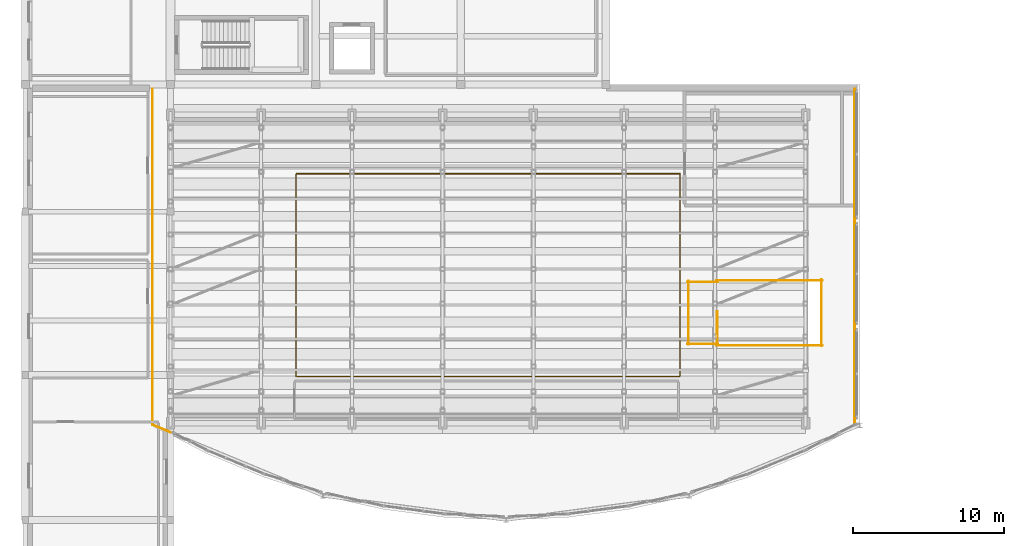
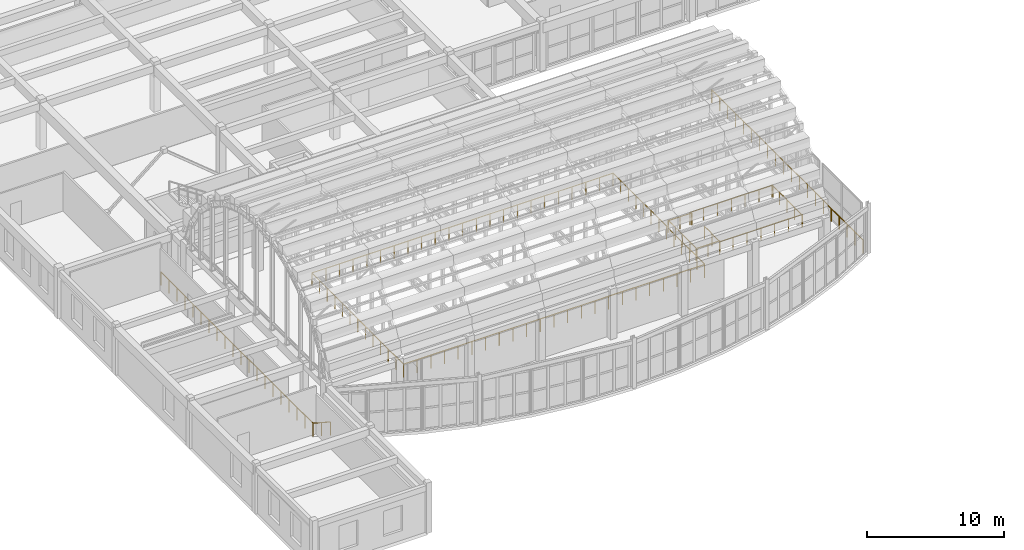
# One storey, part 80 of 91: 11 railings.
"""IFC4 building model written with IfcOpenShell, lengths in metres."""

import ifcopenshell
import ifcopenshell.guid

model = None  # the IFC model being written
_history = None  # IfcOwnerHistory: only IFC2X3 demands one
_inside = {}  # id of a spatial element -> (the spatial element, [elements in it])
_under = {}  # id of a project, library or spatial element -> (it, [spatial elements below it])
_declared = {}  # id of a project -> (the project, [libraries it declares])
_typed = {}  # id of a type object -> (the type object, [elements of that type])
_made_of = {}  # id of a material, layer set ... -> (it, [elements and type objects made of it])


def new_model(schema):
    """Start an empty IFC model of exactly this schema.

    Asked for "IFC4X3", IfcOpenShell would pick the latest addendum, in which some entities
    have other attributes; the version numbers below select the first issue.
    IFC2X3 requires an IfcOwnerHistory on every rooted entity: one is made here for all.
    """
    global model, _history
    if schema == "IFC4X3":
        model = ifcopenshell.file(schema_version=(4, 3, 0, 0))
    else:
        model = ifcopenshell.file(schema=schema)
    _inside.clear()
    _under.clear()
    _declared.clear()
    _typed.clear()
    _made_of.clear()
    _history = None
    if model.schema == "IFC2X3":
        org = make("IfcOrganization", Name="unknown")
        user = make(
            "IfcPersonAndOrganization",
            ThePerson=make("IfcPerson", FamilyName="unknown"),
            TheOrganization=org,
        )
        app = make(
            "IfcApplication",
            ApplicationDeveloper=org,
            Version="unknown",
            ApplicationFullName="unknown",
            ApplicationIdentifier="unknown",
        )
        _history = make(
            "IfcOwnerHistory",
            OwningUser=user,
            OwningApplication=app,
            ChangeAction="ADDED",
            CreationDate=0,
        )
    return model


def make(cls, **values):
    """One entity of the class cls with the attributes given. An attribute that is None is left unset."""
    return model.create_entity(
        cls, **{name: value for name, value in values.items() if value is not None}
    )


def rooted(cls, **values):
    """An entity with a GlobalId (a new one), such as an element, a storey or a relation."""
    return make(cls, GlobalId=ifcopenshell.guid.new(), OwnerHistory=_history, **values)


def si_unit(unit_type, name, prefix=None):
    """IfcSIUnit, for example si_unit("LENGTHUNIT", "METRE", prefix="MILLI")."""
    return make("IfcSIUnit", UnitType=unit_type, Prefix=prefix, Name=name)


def assignment(units):
    """IfcUnitAssignment: the units of a project."""
    return None if units is None else make("IfcUnitAssignment", Units=units)


def point(xyz):
    """IfcCartesianPoint."""
    return None if xyz is None else make("IfcCartesianPoint", Coordinates=xyz)


def direction(xyz):
    """IfcDirection."""
    return None if xyz is None else make("IfcDirection", DirectionRatios=xyz)


def frame(location, z_axis=None, x_axis=None):
    """IfcAxis2Placement3D, a coordinate frame: its origin and axes. An axis left out is left unset."""
    return make(
        "IfcAxis2Placement3D",
        Location=point(location),
        Axis=direction(z_axis),
        RefDirection=direction(x_axis),
    )


def frame_2d(location, x_axis=None):
    """IfcAxis2Placement2D, a coordinate frame in the plane: its origin and x axis."""
    return make(
        "IfcAxis2Placement2D", Location=point(location), RefDirection=direction(x_axis)
    )


def origin():
    """The frame at (0, 0, 0) with its axes left unset."""
    return frame((0.0, 0.0, 0.0))


def origin_2d():
    """The frame at (0, 0) in the plane with its x axis left unset."""
    return frame_2d((0.0, 0.0))


def place(relative_to, where):
    """IfcLocalPlacement: puts the frame where relative to a parent placement (None: the world)."""
    return make(
        "IfcLocalPlacement", PlacementRelTo=relative_to, RelativePlacement=where
    )


def context(
    kind, dimensions, precision=None, world=None, true_north=None, identifier=None
):
    """IfcGeometricRepresentationContext, for example the 3D "Model" context."""
    return make(
        "IfcGeometricRepresentationContext",
        ContextIdentifier=identifier,
        ContextType=kind,
        CoordinateSpaceDimension=dimensions,
        Precision=precision,
        WorldCoordinateSystem=world,
        TrueNorth=true_north,
    )


def subcontext(parent, identifier, kind, view, scale=None):
    """IfcGeometricRepresentationSubContext, for example "Body" below "Model"."""
    return make(
        "IfcGeometricRepresentationSubContext",
        ContextIdentifier=identifier,
        ContextType=kind,
        ParentContext=parent,
        TargetScale=scale,
        TargetView=view,
    )


def project(units=None, contexts=None):
    """IfcProject with its units and contexts."""
    return rooted(
        "IfcProject",
        Name="project",
        RepresentationContexts=contexts,
        UnitsInContext=assignment(units),
    )


def spatial(cls, under=None, at=None, **own):
    """A site, building, storey or space (cls), placed at a placement, below another one or the project."""
    s = rooted(cls, ObjectPlacement=at, **own)
    if under is not None:
        _under.setdefault(under.id(), (under, []))[1].append(s)
    return s


def profile(cls, at=None, kind="AREA", **sizes):
    """A parametric profile (cls). Its sizes go by their IFC names, for example OverallWidth=200.0."""
    return make(cls, ProfileType=kind, Position=at, **sizes)


def circle(**sizes):
    """IfcCircleProfileDef."""
    return profile("IfcCircleProfileDef", **sizes)


def extrude(swept, where, along, depth):
    """IfcExtrudedAreaSolid: the profile swept, set in the frame where, extruded along a direction by depth."""
    return make(
        "IfcExtrudedAreaSolid",
        SweptArea=swept,
        Position=where,
        ExtrudedDirection=direction(along),
        Depth=depth,
    )


def shape(context_of_items, identifier, shape_type, items):
    """IfcShapeRepresentation: the items that make up one representation, for example the "Body"."""
    return make(
        "IfcShapeRepresentation",
        ContextOfItems=context_of_items,
        RepresentationIdentifier=identifier,
        RepresentationType=shape_type,
        Items=items,
    )


def material(Name=None, Category=None):
    """IfcMaterial."""
    return make("IfcMaterial", Name=Name, Category=Category)


def made_of(thing, what):
    """Note that an element or type object is made of a material, layer set ...; save() writes the relation."""
    if what is not None:
        _made_of.setdefault(what.id(), (what, []))[1].append(thing)
    return thing


def type_object(cls, material=None, **own):
    """A type object (cls), such as IfcWallType, which elements share."""
    return made_of(rooted(cls, **own), material)


def element(
    cls,
    number,
    at=None,
    inside=None,
    cuts=None,
    type_object=None,
    material=None,
    context=None,
    identifier="Body",
    shape_type=None,
    held_by="IfcProductDefinitionShape",
    body=None,
    shapes=None,
    **own,
):
    """One element of the class cls, such as IfcWall. Its Tag is "e" and its number.

    at: its placement. inside: the storey or other place that contains it. cuts: it is an
    opening in that element (IfcRelVoidsElement). A single representation is given by context,
    identifier, shape_type and body (its items); several are given by shapes. held_by: the class
    of the entity that holds the representations. save() writes the other relations.
    """
    e = rooted(cls, Tag="e%d" % number, ObjectPlacement=at, **own)
    if body is not None:
        shapes = [shape(context, identifier, shape_type, body)]
    if shapes is not None:
        e.Representation = make(held_by, Representations=shapes)
    if inside is not None:
        _inside.setdefault(inside.id(), (inside, []))[1].append(e)
    if cuts is not None:
        rooted(
            "IfcRelVoidsElement", RelatingBuildingElement=cuts, RelatedOpeningElement=e
        )
    if type_object is not None:
        _typed.setdefault(type_object.id(), (type_object, []))[1].append(e)
    return made_of(e, material)


def aggregate(whole, parts):
    """IfcRelAggregates: a whole, such as a stair, and the parts it consists of."""
    return rooted("IfcRelAggregates", RelatingObject=whole, RelatedObjects=parts)


def save(model, path):
    """Write the relations noted so far, then the file.

    IfcRelAggregates (storeys below a building ...), IfcRelContainedInSpatialStructure (elements
    in a storey), IfcRelDefinesByType, IfcRelAssociatesMaterial and IfcRelDeclares: one each for
    every whole, place, type object, material and project.
    """
    for whole, parts in _under.values():
        aggregate(whole, parts)
    for where, things in _inside.values():
        rooted(
            "IfcRelContainedInSpatialStructure",
            RelatedElements=things,
            RelatingStructure=where,
        )
    for kind, things in _typed.values():
        rooted("IfcRelDefinesByType", RelatedObjects=things, RelatingType=kind)
    for what, things in _made_of.values():
        rooted("IfcRelAssociatesMaterial", RelatedObjects=things, RelatingMaterial=what)
    for by, libraries in _declared.values():
        rooted("IfcRelDeclares", RelatingContext=by, RelatedDefinitions=libraries)
    model.write(path)


model = new_model("IFC4")

# Units and contexts
model_context = context("Model", 3, precision=1e-05, world=origin(), true_north=direction((0.0, 1.0)))
body_context = subcontext(model_context, "Body", "Model", "MODEL_VIEW")
ifc_project = project(units=[si_unit("LENGTHUNIT", "METRE"), si_unit("AREAUNIT", "SQUARE_METRE"), si_unit("VOLUMEUNIT", "CUBIC_METRE"), si_unit("PLANEANGLEUNIT", "RADIAN"), si_unit("MASSUNIT", "GRAM", prefix="KILO")], contexts=[model_context])

# Site, building, storey
site_placement = place(None, origin())
site = spatial("IfcSite", under=ifc_project, at=site_placement, CompositionType="ELEMENT")
building_placement = place(site_placement, origin())
building = spatial("IfcBuilding", under=site, at=building_placement, Name="Tarnavel Promenade Courthouse", CompositionType="ELEMENT")
storey_placement = place(building_placement, frame((0.0, 0.0, 9.89990234375)))
storey = spatial("IfcBuildingStorey", under=building, at=storey_placement, Name="L03", CompositionType="ELEMENT", Elevation=9.89990234375)

# Railings
ifc_material_1 = material(Name="Laminated Glass and Bronze Concourse Gallery Balustrade", Category="glass")
railing_type_1 = type_object("IfcRailingType", Name="Laminated Glass and Bronze Concourse Gallery Balustrade (RL-BAL-1180)", PredefinedType="BALUSTRADE", material=ifc_material_1)
railing_1_placement = place(storey_placement, frame((17.89990234375, 31.260009765625, 0.0)))
element("IfcRailing", 1, at=railing_1_placement, inside=storey, type_object=railing_type_1, Name="L03 Public Hall Gallery Balustrade South-West Run", PredefinedType="BALUSTRADE", context=body_context, shape_type="SweptSolid", body=[
    extrude(circle(Radius=0.02392578125, at=origin_2d()), frame((0.0, 0.0, 1.15576171875), z_axis=(0.0, -1.0, 0.0), x_axis=(1.0, 0.0, 0.0)), (0.0, 0.0, 1.0), 13.360107421875),
    extrude(circle(Radius=0.02392578125, at=origin_2d()), frame((0.0, -13.360107421875, 1.15576171875), z_axis=(1.0, 0.0, 0.0), x_axis=(0.0, 1.0, 0.0)), (0.0, 0.0, 1.0), 25.360107421875),
    extrude(circle(Radius=0.02099609375, at=origin_2d()), origin(), (0.0, 0.0, 1.0), 1.1318359375),
    extrude(circle(Radius=0.02099609375, at=origin_2d()), frame((0.0, -1.11328125, 0.0)), (0.0, 0.0, 1.0), 1.1318359375),
    extrude(circle(Radius=0.02099609375, at=origin_2d()), frame((0.0, -2.2265625, 0.0)), (0.0, 0.0, 1.0), 1.1318359375),
    extrude(circle(Radius=0.02099609375, at=origin_2d()), frame((0.0, -3.340087890625, 0.0)), (0.0, 0.0, 1.0), 1.1318359375),
    extrude(circle(Radius=0.02099609375, at=origin_2d()), frame((0.0, -4.453369140625, 0.0)), (0.0, 0.0, 1.0), 1.1318359375),
    extrude(circle(Radius=0.02099609375, at=origin_2d()), frame((0.0, -5.566650390625, 0.0)), (0.0, 0.0, 1.0), 1.1318359375),
    extrude(circle(Radius=0.02099609375, at=origin_2d()), frame((0.0, -6.68017578125, 0.0)), (0.0, 0.0, 1.0), 1.1318359375),
    extrude(circle(Radius=0.02099609375, at=origin_2d()), frame((0.0, -7.79345703125, 0.0)), (0.0, 0.0, 1.0), 1.1318359375),
    extrude(circle(Radius=0.02099609375, at=origin_2d()), frame((0.0, -8.90673828125, 0.0)), (0.0, 0.0, 1.0), 1.1318359375),
    extrude(circle(Radius=0.02099609375, at=origin_2d()), frame((0.0, -10.02001953125, 0.0)), (0.0, 0.0, 1.0), 1.1318359375),
    extrude(circle(Radius=0.02099609375, at=origin_2d()), frame((0.0, -11.13330078125, 0.0)), (0.0, 0.0, 1.0), 1.1318359375),
    extrude(circle(Radius=0.02099609375, at=origin_2d()), frame((0.0, -12.246826171875, 0.0)), (0.0, 0.0, 1.0), 1.1318359375),
    extrude(circle(Radius=0.02099609375, at=origin_2d()), frame((0.0, -13.360107421875, 0.0)), (0.0, 0.0, 1.0), 1.1318359375),
    extrude(circle(Radius=0.02099609375, at=origin_2d()), frame((1.15283203125, -13.360107421875, 0.0)), (0.0, 0.0, 1.0), 1.1318359375),
    extrude(circle(Radius=0.02099609375, at=origin_2d()), frame((2.305419921875, -13.360107421875, 0.0)), (0.0, 0.0, 1.0), 1.1318359375),
    extrude(circle(Radius=0.02099609375, at=origin_2d()), frame((3.458251953125, -13.360107421875, 0.0)), (0.0, 0.0, 1.0), 1.1318359375),
    extrude(circle(Radius=0.02099609375, at=origin_2d()), frame((4.61083984375, -13.360107421875, 0.0)), (0.0, 0.0, 1.0), 1.1318359375),
    extrude(circle(Radius=0.02099609375, at=origin_2d()), frame((5.763671875, -13.360107421875, 0.0)), (0.0, 0.0, 1.0), 1.1318359375),
    extrude(circle(Radius=0.02099609375, at=origin_2d()), frame((6.91650390625, -13.360107421875, 0.0)), (0.0, 0.0, 1.0), 1.1318359375),
    extrude(circle(Radius=0.02099609375, at=origin_2d()), frame((8.069091796875, -13.360107421875, 0.0)), (0.0, 0.0, 1.0), 1.1318359375),
    extrude(circle(Radius=0.02099609375, at=origin_2d()), frame((9.221923828125, -13.360107421875, 0.0)), (0.0, 0.0, 1.0), 1.1318359375),
    extrude(circle(Radius=0.02099609375, at=origin_2d()), frame((10.37451171875, -13.360107421875, 0.0)), (0.0, 0.0, 1.0), 1.1318359375),
    extrude(circle(Radius=0.02099609375, at=origin_2d()), frame((11.52734375, -13.360107421875, 0.0)), (0.0, 0.0, 1.0), 1.1318359375),
    extrude(circle(Radius=0.02099609375, at=origin_2d()), frame((12.68017578125, -13.360107421875, 0.0)), (0.0, 0.0, 1.0), 1.1318359375),
    extrude(circle(Radius=0.02099609375, at=origin_2d()), frame((13.832763671875, -13.360107421875, 0.0)), (0.0, 0.0, 1.0), 1.1318359375),
    extrude(circle(Radius=0.02099609375, at=origin_2d()), frame((14.985595703125, -13.360107421875, 0.0)), (0.0, 0.0, 1.0), 1.1318359375),
    extrude(circle(Radius=0.02099609375, at=origin_2d()), frame((16.13818359375, -13.360107421875, 0.0)), (0.0, 0.0, 1.0), 1.1318359375),
    extrude(circle(Radius=0.02099609375, at=origin_2d()), frame((17.291015625, -13.360107421875, 0.0)), (0.0, 0.0, 1.0), 1.1318359375),
    extrude(circle(Radius=0.02099609375, at=origin_2d()), frame((18.443603515625, -13.360107421875, 0.0)), (0.0, 0.0, 1.0), 1.1318359375),
    extrude(circle(Radius=0.02099609375, at=origin_2d()), frame((19.596435546875, -13.360107421875, 0.0)), (0.0, 0.0, 1.0), 1.1318359375),
    extrude(circle(Radius=0.02099609375, at=origin_2d()), frame((20.749267578125, -13.360107421875, 0.0)), (0.0, 0.0, 1.0), 1.1318359375),
    extrude(circle(Radius=0.02099609375, at=origin_2d()), frame((21.90185546875, -13.360107421875, 0.0)), (0.0, 0.0, 1.0), 1.1318359375),
    extrude(circle(Radius=0.02099609375, at=origin_2d()), frame((23.0546875, -13.360107421875, 0.0)), (0.0, 0.0, 1.0), 1.1318359375),
    extrude(circle(Radius=0.02099609375, at=origin_2d()), frame((24.207275390625, -13.360107421875, 0.0)), (0.0, 0.0, 1.0), 1.1318359375),
    extrude(circle(Radius=0.02099609375, at=origin_2d()), frame((25.360107421875, -13.360107421875, 0.0)), (0.0, 0.0, 1.0), 1.1318359375),
])
railing_2_placement = place(storey_placement, frame((17.93994140625, 31.300048828125, 0.0)))
element("IfcRailing", 2, at=railing_2_placement, inside=storey, type_object=railing_type_1, Name="L03 Public Hall Gallery Balustrade North-East Run", PredefinedType="BALUSTRADE", context=body_context, shape_type="SweptSolid", body=[
    extrude(circle(Radius=0.02392578125, at=origin_2d()), frame((0.0, 0.0, 1.15576171875), z_axis=(1.0, 0.0, 0.0), x_axis=(0.0, 1.0, 0.0)), (0.0, 0.0, 1.0), 25.360107421875),
    extrude(circle(Radius=0.02392578125, at=origin_2d()), frame((25.360107421875, 0.0, 1.15576171875), z_axis=(0.0, -1.0, 0.0), x_axis=(1.0, 0.0, 0.0)), (0.0, 0.0, 1.0), 13.360107421875),
    extrude(circle(Radius=0.02099609375, at=origin_2d()), origin(), (0.0, 0.0, 1.0), 1.1318359375),
    extrude(circle(Radius=0.02099609375, at=origin_2d()), frame((1.15283203125, 0.0, 0.0)), (0.0, 0.0, 1.0), 1.1318359375),
    extrude(circle(Radius=0.02099609375, at=origin_2d()), frame((2.305419921875, 0.0, 0.0)), (0.0, 0.0, 1.0), 1.1318359375),
    extrude(circle(Radius=0.02099609375, at=origin_2d()), frame((3.458251953125, 0.0, 0.0)), (0.0, 0.0, 1.0), 1.1318359375),
    extrude(circle(Radius=0.02099609375, at=origin_2d()), frame((4.61083984375, 0.0, 0.0)), (0.0, 0.0, 1.0), 1.1318359375),
    extrude(circle(Radius=0.02099609375, at=origin_2d()), frame((5.763671875, 0.0, 0.0)), (0.0, 0.0, 1.0), 1.1318359375),
    extrude(circle(Radius=0.02099609375, at=origin_2d()), frame((6.91650390625, 0.0, 0.0)), (0.0, 0.0, 1.0), 1.1318359375),
    extrude(circle(Radius=0.02099609375, at=origin_2d()), frame((8.069091796875, 0.0, 0.0)), (0.0, 0.0, 1.0), 1.1318359375),
    extrude(circle(Radius=0.02099609375, at=origin_2d()), frame((9.221923828125, 0.0, 0.0)), (0.0, 0.0, 1.0), 1.1318359375),
    extrude(circle(Radius=0.02099609375, at=origin_2d()), frame((10.37451171875, 0.0, 0.0)), (0.0, 0.0, 1.0), 1.1318359375),
    extrude(circle(Radius=0.02099609375, at=origin_2d()), frame((11.52734375, 0.0, 0.0)), (0.0, 0.0, 1.0), 1.1318359375),
    extrude(circle(Radius=0.02099609375, at=origin_2d()), frame((12.68017578125, 0.0, 0.0)), (0.0, 0.0, 1.0), 1.1318359375),
    extrude(circle(Radius=0.02099609375, at=origin_2d()), frame((13.832763671875, 0.0, 0.0)), (0.0, 0.0, 1.0), 1.1318359375),
    extrude(circle(Radius=0.02099609375, at=origin_2d()), frame((14.985595703125, 0.0, 0.0)), (0.0, 0.0, 1.0), 1.1318359375),
    extrude(circle(Radius=0.02099609375, at=origin_2d()), frame((16.13818359375, 0.0, 0.0)), (0.0, 0.0, 1.0), 1.1318359375),
    extrude(circle(Radius=0.02099609375, at=origin_2d()), frame((17.291015625, 0.0, 0.0)), (0.0, 0.0, 1.0), 1.1318359375),
    extrude(circle(Radius=0.02099609375, at=origin_2d()), frame((18.443603515625, 0.0, 0.0)), (0.0, 0.0, 1.0), 1.1318359375),
    extrude(circle(Radius=0.02099609375, at=origin_2d()), frame((19.596435546875, 0.0, 0.0)), (0.0, 0.0, 1.0), 1.1318359375),
    extrude(circle(Radius=0.02099609375, at=origin_2d()), frame((20.749267578125, 0.0, 0.0)), (0.0, 0.0, 1.0), 1.1318359375),
    extrude(circle(Radius=0.02099609375, at=origin_2d()), frame((21.90185546875, 0.0, 0.0)), (0.0, 0.0, 1.0), 1.1318359375),
    extrude(circle(Radius=0.02099609375, at=origin_2d()), frame((23.0546875, 0.0, 0.0)), (0.0, 0.0, 1.0), 1.1318359375),
    extrude(circle(Radius=0.02099609375, at=origin_2d()), frame((24.207275390625, 0.0, 0.0)), (0.0, 0.0, 1.0), 1.1318359375),
    extrude(circle(Radius=0.02099609375, at=origin_2d()), frame((25.360107421875, 0.0, 0.0)), (0.0, 0.0, 1.0), 1.1318359375),
    extrude(circle(Radius=0.02099609375, at=origin_2d()), frame((25.360107421875, -1.11328125, 0.0)), (0.0, 0.0, 1.0), 1.1318359375),
    extrude(circle(Radius=0.02099609375, at=origin_2d()), frame((25.360107421875, -2.2265625, 0.0)), (0.0, 0.0, 1.0), 1.1318359375),
    extrude(circle(Radius=0.02099609375, at=origin_2d()), frame((25.360107421875, -3.340087890625, 0.0)), (0.0, 0.0, 1.0), 1.1318359375),
    extrude(circle(Radius=0.02099609375, at=origin_2d()), frame((25.360107421875, -4.453369140625, 0.0)), (0.0, 0.0, 1.0), 1.1318359375),
    extrude(circle(Radius=0.02099609375, at=origin_2d()), frame((25.360107421875, -5.566650390625, 0.0)), (0.0, 0.0, 1.0), 1.1318359375),
    extrude(circle(Radius=0.02099609375, at=origin_2d()), frame((25.360107421875, -6.68017578125, 0.0)), (0.0, 0.0, 1.0), 1.1318359375),
    extrude(circle(Radius=0.02099609375, at=origin_2d()), frame((25.360107421875, -7.79345703125, 0.0)), (0.0, 0.0, 1.0), 1.1318359375),
    extrude(circle(Radius=0.02099609375, at=origin_2d()), frame((25.360107421875, -8.90673828125, 0.0)), (0.0, 0.0, 1.0), 1.1318359375),
    extrude(circle(Radius=0.02099609375, at=origin_2d()), frame((25.360107421875, -10.02001953125, 0.0)), (0.0, 0.0, 1.0), 1.1318359375),
    extrude(circle(Radius=0.02099609375, at=origin_2d()), frame((25.360107421875, -11.13330078125, 0.0)), (0.0, 0.0, 1.0), 1.1318359375),
    extrude(circle(Radius=0.02099609375, at=origin_2d()), frame((25.360107421875, -12.246826171875, 0.0)), (0.0, 0.0, 1.0), 1.1318359375),
    extrude(circle(Radius=0.02099609375, at=origin_2d()), frame((25.360107421875, -13.360107421875, 0.0)), (0.0, 0.0, 1.0), 1.1318359375),
])
railing_3_placement = place(storey_placement, frame((54.85009765625, 14.800048828125, 0.0)))
element("IfcRailing", 3, at=railing_3_placement, inside=storey, type_object=railing_type_1, Name="L03 Public Drum East Curtain-Wall Guardrail", PredefinedType="BALUSTRADE", context=body_context, shape_type="SweptSolid", body=[
    extrude(circle(Radius=0.02392578125, at=origin_2d()), frame((0.0, 0.0, 1.15576171875), z_axis=(0.0, 1.0, 0.0), x_axis=(-1.0, 0.0, 0.0)), (0.0, 0.0, 1.0), 22.099853515625),
    extrude(circle(Radius=0.02099609375, at=origin_2d()), origin(), (0.0, 0.0, 1.0), 1.1318359375),
    extrude(circle(Radius=0.02099609375, at=origin_2d()), frame((0.0, 1.1630859375, 0.0)), (0.0, 0.0, 1.0), 1.1318359375),
    extrude(circle(Radius=0.02099609375, at=origin_2d()), frame((0.0, 2.326416015625, 0.0)), (0.0, 0.0, 1.0), 1.1318359375),
    extrude(circle(Radius=0.02099609375, at=origin_2d()), frame((0.0, 3.489501953125, 0.0)), (0.0, 0.0, 1.0), 1.1318359375),
    extrude(circle(Radius=0.02099609375, at=origin_2d()), frame((0.0, 4.652587890625, 0.0)), (0.0, 0.0, 1.0), 1.1318359375),
    extrude(circle(Radius=0.02099609375, at=origin_2d()), frame((0.0, 5.815673828125, 0.0)), (0.0, 0.0, 1.0), 1.1318359375),
    extrude(circle(Radius=0.02099609375, at=origin_2d()), frame((0.0, 6.97900390625, 0.0)), (0.0, 0.0, 1.0), 1.1318359375),
    extrude(circle(Radius=0.02099609375, at=origin_2d()), frame((0.0, 8.14208984375, 0.0)), (0.0, 0.0, 1.0), 1.1318359375),
    extrude(circle(Radius=0.02099609375, at=origin_2d()), frame((0.0, 9.30517578125, 0.0)), (0.0, 0.0, 1.0), 1.1318359375),
    extrude(circle(Radius=0.02099609375, at=origin_2d()), frame((0.0, 10.46826171875, 0.0)), (0.0, 0.0, 1.0), 1.1318359375),
    extrude(circle(Radius=0.02099609375, at=origin_2d()), frame((0.0, 11.631591796875, 0.0)), (0.0, 0.0, 1.0), 1.1318359375),
    extrude(circle(Radius=0.02099609375, at=origin_2d()), frame((0.0, 12.794677734375, 0.0)), (0.0, 0.0, 1.0), 1.1318359375),
    extrude(circle(Radius=0.02099609375, at=origin_2d()), frame((0.0, 13.957763671875, 0.0)), (0.0, 0.0, 1.0), 1.1318359375),
    extrude(circle(Radius=0.02099609375, at=origin_2d()), frame((0.0, 15.120849609375, 0.0)), (0.0, 0.0, 1.0), 1.1318359375),
    extrude(circle(Radius=0.02099609375, at=origin_2d()), frame((0.0, 16.2841796875, 0.0)), (0.0, 0.0, 1.0), 1.1318359375),
    extrude(circle(Radius=0.02099609375, at=origin_2d()), frame((0.0, 17.447265625, 0.0)), (0.0, 0.0, 1.0), 1.1318359375),
    extrude(circle(Radius=0.02099609375, at=origin_2d()), frame((0.0, 18.6103515625, 0.0)), (0.0, 0.0, 1.0), 1.1318359375),
    extrude(circle(Radius=0.02099609375, at=origin_2d()), frame((0.0, 19.7734375, 0.0)), (0.0, 0.0, 1.0), 1.1318359375),
    extrude(circle(Radius=0.02099609375, at=origin_2d()), frame((0.0, 20.936767578125, 0.0)), (0.0, 0.0, 1.0), 1.1318359375),
    extrude(circle(Radius=0.02099609375, at=origin_2d()), frame((0.0, 22.099853515625, 0.0)), (0.0, 0.0, 1.0), 1.1318359375),
])
railing_4_placement = place(storey_placement, frame((8.419921875, 36.89990234375, 0.0)))
element("IfcRailing", 4, at=railing_4_placement, inside=storey, type_object=railing_type_1, Name="L03 Public Drum West Corner Guardrail", PredefinedType="BALUSTRADE", context=body_context, shape_type="SweptSolid", body=[
    extrude(circle(Radius=0.02392578125, at=origin_2d()), frame((0.0, 0.0, 1.15576171875), z_axis=(0.0, -1.0, 0.0), x_axis=(1.0, 0.0, 0.0)), (0.0, 0.0, 1.0), 22.199951171875),
    extrude(circle(Radius=0.02392578125, at=origin_2d()), frame((0.0, -22.199951171875, 1.15576171875), z_axis=(0.920772594973, -0.390099767171, 0.0), x_axis=(0.390099767171, 0.920772594973, 0.0)), (0.0, 0.0, 1.0), 1.28173828125),
    extrude(circle(Radius=0.02099609375, at=origin_2d()), origin(), (0.0, 0.0, 1.0), 1.1318359375),
    extrude(circle(Radius=0.02099609375, at=origin_2d()), frame((0.0, -1.16845703125, 0.0)), (0.0, 0.0, 1.0), 1.1318359375),
    extrude(circle(Radius=0.02099609375, at=origin_2d()), frame((0.0, -2.3369140625, 0.0)), (0.0, 0.0, 1.0), 1.1318359375),
    extrude(circle(Radius=0.02099609375, at=origin_2d()), frame((0.0, -3.50537109375, 0.0)), (0.0, 0.0, 1.0), 1.1318359375),
    extrude(circle(Radius=0.02099609375, at=origin_2d()), frame((0.0, -4.673583984375, 0.0)), (0.0, 0.0, 1.0), 1.1318359375),
    extrude(circle(Radius=0.02099609375, at=origin_2d()), frame((0.0, -5.842041015625, 0.0)), (0.0, 0.0, 1.0), 1.1318359375),
    extrude(circle(Radius=0.02099609375, at=origin_2d()), frame((0.0, -7.010498046875, 0.0)), (0.0, 0.0, 1.0), 1.1318359375),
    extrude(circle(Radius=0.02099609375, at=origin_2d()), frame((0.0, -8.178955078125, 0.0)), (0.0, 0.0, 1.0), 1.1318359375),
    extrude(circle(Radius=0.02099609375, at=origin_2d()), frame((0.0, -9.347412109375, 0.0)), (0.0, 0.0, 1.0), 1.1318359375),
    extrude(circle(Radius=0.02099609375, at=origin_2d()), frame((0.0, -10.515869140625, 0.0)), (0.0, 0.0, 1.0), 1.1318359375),
    extrude(circle(Radius=0.02099609375, at=origin_2d()), frame((0.0, -11.68408203125, 0.0)), (0.0, 0.0, 1.0), 1.1318359375),
    extrude(circle(Radius=0.02099609375, at=origin_2d()), frame((0.0, -12.8525390625, 0.0)), (0.0, 0.0, 1.0), 1.1318359375),
    extrude(circle(Radius=0.02099609375, at=origin_2d()), frame((0.0, -14.02099609375, 0.0)), (0.0, 0.0, 1.0), 1.1318359375),
    extrude(circle(Radius=0.02099609375, at=origin_2d()), frame((0.0, -15.189453125, 0.0)), (0.0, 0.0, 1.0), 1.1318359375),
    extrude(circle(Radius=0.02099609375, at=origin_2d()), frame((0.0, -16.35791015625, 0.0)), (0.0, 0.0, 1.0), 1.1318359375),
    extrude(circle(Radius=0.02099609375, at=origin_2d()), frame((0.0, -17.5263671875, 0.0)), (0.0, 0.0, 1.0), 1.1318359375),
    extrude(circle(Radius=0.02099609375, at=origin_2d()), frame((0.0, -18.694580078125, 0.0)), (0.0, 0.0, 1.0), 1.1318359375),
    extrude(circle(Radius=0.02099609375, at=origin_2d()), frame((0.0, -19.863037109375, 0.0)), (0.0, 0.0, 1.0), 1.1318359375),
    extrude(circle(Radius=0.02099609375, at=origin_2d()), frame((0.0, -21.031494140625, 0.0)), (0.0, 0.0, 1.0), 1.1318359375),
    extrude(circle(Radius=0.02099609375, at=origin_2d()), frame((0.0, -22.199951171875, 0.0)), (0.0, 0.0, 1.0), 1.1318359375),
    extrude(circle(Radius=0.02099609375, at=origin_2d()), frame((0.590087890625, -22.449951171875, 0.0)), (0.0, 0.0, 1.0), 1.1318359375),
    extrude(circle(Radius=0.02099609375, at=origin_2d()), frame((1.18017578125, -22.699951171875, 0.0)), (0.0, 0.0, 1.0), 1.1318359375),
])
ifc_material_2 = material(Name="Painted Architectural Steel Stair & Atrium Guardrail", Category="steel")
railing_type_2 = type_object("IfcRailingType", Name="Painted Architectural Steel Stair & Atrium Guardrail (RL-GRD-1120)", PredefinedType="GUARDRAIL", material=ifc_material_2)
railing_5_placement = place(storey_placement, frame((45.75, 20.0, 0.0)))
element("IfcRailing", 5, at=railing_5_placement, inside=storey, type_object=railing_type_2, Name="L03 ST-09 top well guard 1", PredefinedType="GUARDRAIL", context=body_context, shape_type="SweptSolid", body=[
    extrude(circle(Radius=0.02392578125, at=origin_2d()), frame((0.0, 0.0, 1.076171875), z_axis=(0.0, 1.0, 0.0), x_axis=(-1.0, 0.0, 0.0)), (0.0, 0.0, 1.0), 2.199951171875),
    extrude(circle(Radius=0.02099609375, at=origin_2d()), origin(), (0.0, 0.0, 1.0), 1.052001953125),
    extrude(circle(Radius=0.02099609375, at=origin_2d()), frame((0.0, 1.10009765625, 0.0)), (0.0, 0.0, 1.0), 1.052001953125),
    extrude(circle(Radius=0.02099609375, at=origin_2d()), frame((0.0, 2.199951171875, 0.0)), (0.0, 0.0, 1.0), 1.052001953125),
])
for number, where, name in (
    (6, (45.699951171875, 19.949951171875, 0.0), "L03 ST-09 top well guard 2"),
    (7, (45.699951171875, 24.25, 0.0), "L03 ST-09 top well guard 3"),
):
    element("IfcRailing", number, at=place(storey_placement, frame(where)), inside=storey, type_object=railing_type_2, Name=name, PredefinedType="GUARDRAIL", context=body_context, shape_type="SweptSolid", body=[
        extrude(circle(Radius=0.02392578125, at=origin_2d()), frame((0.0, 0.0, 1.076171875), z_axis=(1.0, 0.0, 0.0), x_axis=(0.0, 1.0, 0.0)), (0.0, 0.0, 1.0), 7.0),
        extrude(circle(Radius=0.02099609375, at=origin_2d()), origin(), (0.0, 0.0, 1.0), 1.052001953125),
        extrude(circle(Radius=0.02099609375, at=origin_2d()), frame((1.166748046875, 0.0, 0.0)), (0.0, 0.0, 1.0), 1.052001953125),
        extrude(circle(Radius=0.02099609375, at=origin_2d()), frame((2.333251953125, 0.0, 0.0)), (0.0, 0.0, 1.0), 1.052001953125),
        extrude(circle(Radius=0.02099609375, at=origin_2d()), frame((3.5, 0.0, 0.0)), (0.0, 0.0, 1.0), 1.052001953125),
        extrude(circle(Radius=0.02099609375, at=origin_2d()), frame((4.666748046875, 0.0, 0.0)), (0.0, 0.0, 1.0), 1.052001953125),
        extrude(circle(Radius=0.02099609375, at=origin_2d()), frame((5.833251953125, 0.0, 0.0)), (0.0, 0.0, 1.0), 1.052001953125),
        extrude(circle(Radius=0.02099609375, at=origin_2d()), frame((7.0, 0.0, 0.0)), (0.0, 0.0, 1.0), 1.052001953125),
    ])
railing_6_placement = place(storey_placement, frame((52.64990234375, 19.89990234375, 0.0)))
element("IfcRailing", 8, at=railing_6_placement, inside=storey, type_object=railing_type_2, Name="L03 ST-09 top well guard 4", PredefinedType="GUARDRAIL", context=body_context, shape_type="SweptSolid", body=[
    extrude(circle(Radius=0.02392578125, at=origin_2d()), frame((0.0, 0.0, 1.076171875), z_axis=(0.0, 1.0, 0.0), x_axis=(-1.0, 0.0, 0.0)), (0.0, 0.0, 1.0), 4.400146484375),
    extrude(circle(Radius=0.02099609375, at=origin_2d()), origin(), (0.0, 0.0, 1.0), 1.052001953125),
    extrude(circle(Radius=0.02099609375, at=origin_2d()), frame((0.0, 1.10009765625, 0.0)), (0.0, 0.0, 1.0), 1.052001953125),
    extrude(circle(Radius=0.02099609375, at=origin_2d()), frame((0.0, 2.2001953125, 0.0)), (0.0, 0.0, 1.0), 1.052001953125),
    extrude(circle(Radius=0.02099609375, at=origin_2d()), frame((0.0, 3.300048828125, 0.0)), (0.0, 0.0, 1.0), 1.052001953125),
    extrude(circle(Radius=0.02099609375, at=origin_2d()), frame((0.0, 4.400146484375, 0.0)), (0.0, 0.0, 1.0), 1.052001953125),
])
for number, where, name in (
    (9, (43.800048828125, 20.050048828125, 0.0), "L03 ST-09 top well guard 5"),
    (10, (43.800048828125, 24.14990234375, 0.0), "L03 ST-09 top well guard 6"),
):
    element("IfcRailing", number, at=place(storey_placement, frame(where)), inside=storey, type_object=railing_type_2, Name=name, PredefinedType="GUARDRAIL", context=body_context, shape_type="SweptSolid", body=[
        extrude(circle(Radius=0.02392578125, at=origin_2d()), frame((0.0, 0.0, 1.076171875), z_axis=(1.0, 0.0, 0.0), x_axis=(0.0, 1.0, 0.0)), (0.0, 0.0, 1.0), 2.0),
        extrude(circle(Radius=0.02099609375, at=origin_2d()), origin(), (0.0, 0.0, 1.0), 1.052001953125),
        extrude(circle(Radius=0.02099609375, at=origin_2d()), frame((1.0, 0.0, 0.0)), (0.0, 0.0, 1.0), 1.052001953125),
        extrude(circle(Radius=0.02099609375, at=origin_2d()), frame((2.0, 0.0, 0.0)), (0.0, 0.0, 1.0), 1.052001953125),
    ])
railing_7_placement = place(storey_placement, frame((43.85009765625, 20.0, 0.0)))
element("IfcRailing", 11, at=railing_7_placement, inside=storey, type_object=railing_type_2, Name="L03 ST-09 top well guard 7", PredefinedType="GUARDRAIL", context=body_context, shape_type="SweptSolid", body=[
    extrude(circle(Radius=0.02392578125, at=origin_2d()), frame((0.0, 0.0, 1.076171875), z_axis=(0.0, 1.0, 0.0), x_axis=(-1.0, 0.0, 0.0)), (0.0, 0.0, 1.0), 4.199951171875),
    extrude(circle(Radius=0.02099609375, at=origin_2d()), origin(), (0.0, 0.0, 1.0), 1.052001953125),
    extrude(circle(Radius=0.02099609375, at=origin_2d()), frame((0.0, 1.050048828125, 0.0)), (0.0, 0.0, 1.0), 1.052001953125),
    extrude(circle(Radius=0.02099609375, at=origin_2d()), frame((0.0, 2.10009765625, 0.0)), (0.0, 0.0, 1.0), 1.052001953125),
    extrude(circle(Radius=0.02099609375, at=origin_2d()), frame((0.0, 3.14990234375, 0.0)), (0.0, 0.0, 1.0), 1.052001953125),
    extrude(circle(Radius=0.02099609375, at=origin_2d()), frame((0.0, 4.199951171875, 0.0)), (0.0, 0.0, 1.0), 1.052001953125),
])

save(model, "model.ifc")
